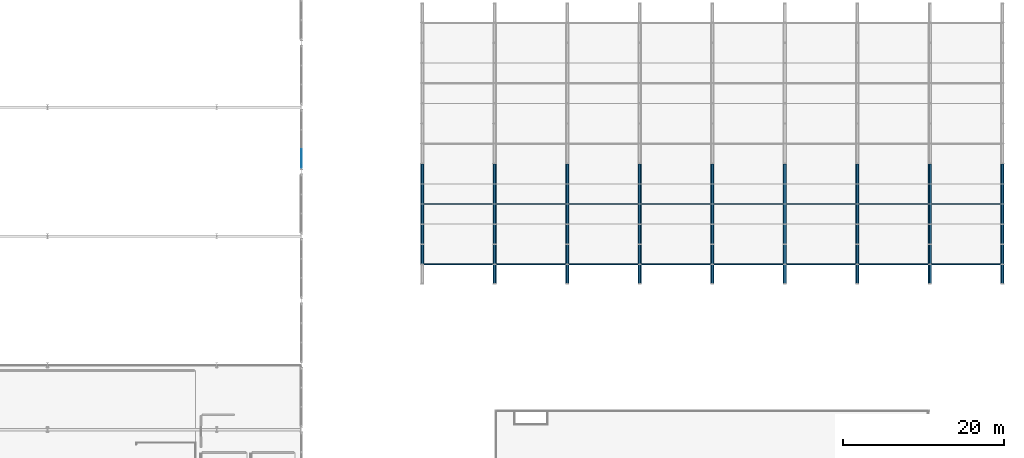
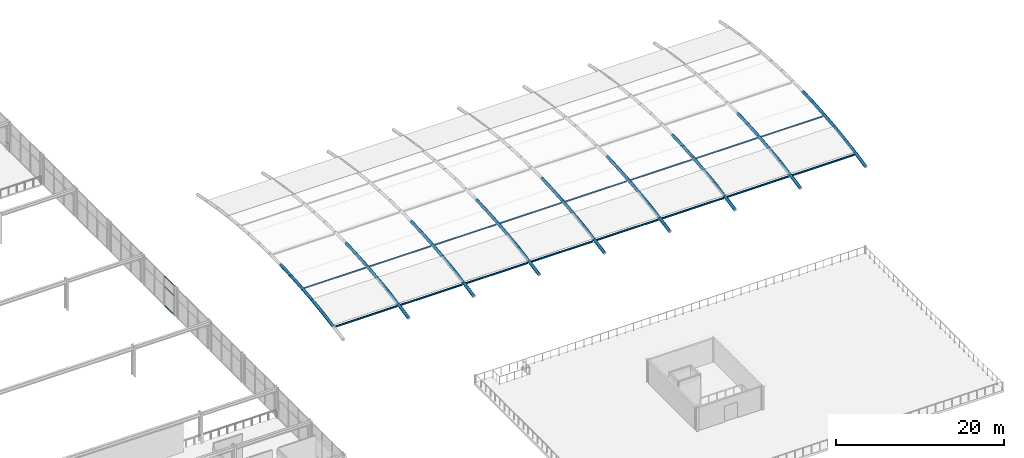
# One storey, part 42 of 105: 72 members, 1 element without a shape of its own.
"""IFC4 building model written with IfcOpenShell, lengths in metres."""

from ifc_helpers import new_model, si_unit, direction, frame, origin, origin_2d, place, context, subcontext, project, spatial, hollow_rectangle, hollow_circle, i_section, extrude, material, layer, layer_set, material_profile, profile_set, type_object, element, aggregate, save


model = new_model("IFC4")

# Units and contexts
model_context = context("Model", 3, precision=1e-05, world=origin(), true_north=direction((0.0, 1.0)))
body_context = subcontext(model_context, "Body", "Model", "MODEL_VIEW")
ifc_project = project(units=[si_unit("LENGTHUNIT", "METRE"), si_unit("AREAUNIT", "SQUARE_METRE"), si_unit("VOLUMEUNIT", "CUBIC_METRE"), si_unit("PLANEANGLEUNIT", "RADIAN"), si_unit("MASSUNIT", "GRAM", prefix="KILO")], contexts=[model_context])

# Site, building, storey
site_placement = place(None, origin())
site = spatial("IfcSite", under=ifc_project, at=site_placement, CompositionType="ELEMENT")
building_placement = place(site_placement, origin())
building = spatial("IfcBuilding", under=site, at=building_placement, Name="Marlcrest Central Station", CompositionType="ELEMENT")
storey_placement = place(building_placement, frame((0.0, 0.0, 15.0)))
storey = spatial("IfcBuildingStorey", under=building, at=storey_placement, Name="L03", CompositionType="ELEMENT", Elevation=15.0)

# Members
ifc_material_1 = material(Name="Steel S355", Category="steel")
ifc_material_profile_1 = material_profile(ifc_material_1, hollow_circle(Radius=0.203125, WallThickness=0.02001953125, at=origin_2d()), Name="CHS 406.4x20")
ifc_profile_set_1 = profile_set([ifc_material_profile_1], Name="Steel S355")
member_type_1 = type_object("IfcMemberType", Name="AC-01", PredefinedType="CHORD", material=ifc_profile_set_1)
member_1_placement = place(storey_placement, frame((144.0, 51.0, 0.40380859375), z_axis=(0.0, 0.98574109921, 0.168269086076), x_axis=(-1.0, 0.0, 0.0)))
element("IfcMember", 1, at=member_1_placement, inside=storey, type_object=member_type_1, Name="mem-AC-01-L03-01116", PredefinedType="CHORD", context=body_context, shape_type="SweptSolid", body=[
    extrude(hollow_circle(Radius=0.203125, WallThickness=0.02001953125, at=origin_2d()), origin(), (0.0, 0.0, 1.0), 2.5361328125),
])
member_2_placement = place(storey_placement, frame((144.0, 53.5, 0.83056640625), z_axis=(0.0, 0.990402740232, 0.138211476152), x_axis=(-1.0, 0.0, 0.0)))
element("IfcMember", 2, at=member_2_placement, inside=storey, type_object=member_type_1, Name="mem-AC-01-L03-01120", PredefinedType="CHORD", context=body_context, shape_type="SweptSolid", body=[
    extrude(hollow_circle(Radius=0.203125, WallThickness=0.02001953125, at=origin_2d()), origin(), (0.0, 0.0, 1.0), 2.524169921875),
])
member_3_placement = place(storey_placement, frame((144.0, 56.0, 1.179443359375), z_axis=(0.0, 0.994155341034, 0.107959056565), x_axis=(-1.0, 0.0, 0.0)))
element("IfcMember", 3, at=member_3_placement, inside=storey, type_object=member_type_1, Name="mem-AC-01-L03-01124", PredefinedType="CHORD", context=body_context, shape_type="SweptSolid", body=[
    extrude(hollow_circle(Radius=0.203125, WallThickness=0.02001953125, at=origin_2d()), origin(), (0.0, 0.0, 1.0), 2.5146484375),
])
member_4_placement = place(storey_placement, frame((144.0, 58.5, 1.450927734375), z_axis=(0.0, 0.996999825732, 0.077403795064), x_axis=(-1.0, 0.0, 0.0)))
element("IfcMember", 4, at=member_4_placement, inside=storey, type_object=member_type_1, Name="mem-AC-01-L03-01128", PredefinedType="CHORD", context=body_context, shape_type="SweptSolid", body=[
    extrude(hollow_circle(Radius=0.203125, WallThickness=0.02001953125, at=origin_2d()), origin(), (0.0, 0.0, 1.0), 2.507568359375),
])
member_5_placement = place(storey_placement, frame((144.0, 61.0, 1.64501953125), z_axis=(0.0, 0.998921349185, 0.046434234591), x_axis=(-1.0, 0.0, 0.0)))
element("IfcMember", 5, at=member_5_placement, inside=storey, type_object=member_type_1, Name="mem-AC-01-L03-01132", PredefinedType="CHORD", context=body_context, shape_type="SweptSolid", body=[
    extrude(hollow_circle(Radius=0.203125, WallThickness=0.02001953125, at=origin_2d()), origin(), (0.0, 0.0, 1.0), 2.502685546875),
])
member_6_placement = place(storey_placement, frame((153.0, 48.580078125, -0.0830078125), z_axis=(0.0, 0.980359417961, 0.197219196874), x_axis=(-1.0, 0.0, 0.0)))
element("IfcMember", 6, at=member_6_placement, inside=storey, type_object=member_type_1, Name="mem-AC-01-L03-01228", PredefinedType="CHORD", context=body_context, shape_type="SweptSolid", body=[
    extrude(hollow_circle(Radius=0.203125, WallThickness=0.02001953125, at=origin_2d()), origin(), (0.0, 0.0, 1.0), 2.468505859375),
])
member_7_placement = place(storey_placement, frame((153.0, 51.0, 0.40380859375), z_axis=(0.0, 0.98574109921, 0.168269086076), x_axis=(-1.0, 0.0, 0.0)))
element("IfcMember", 7, at=member_7_placement, inside=storey, type_object=member_type_1, Name="mem-AC-01-L03-01232", PredefinedType="CHORD", context=body_context, shape_type="SweptSolid", body=[
    extrude(hollow_circle(Radius=0.203125, WallThickness=0.02001953125, at=origin_2d()), origin(), (0.0, 0.0, 1.0), 2.5361328125),
])
member_8_placement = place(storey_placement, frame((153.0, 53.5, 0.83056640625), z_axis=(0.0, 0.990402740232, 0.138211476152), x_axis=(-1.0, 0.0, 0.0)))
element("IfcMember", 8, at=member_8_placement, inside=storey, type_object=member_type_1, Name="mem-AC-01-L03-01236", PredefinedType="CHORD", context=body_context, shape_type="SweptSolid", body=[
    extrude(hollow_circle(Radius=0.203125, WallThickness=0.02001953125, at=origin_2d()), origin(), (0.0, 0.0, 1.0), 2.524169921875),
])
member_9_placement = place(storey_placement, frame((153.0, 56.0, 1.179443359375), z_axis=(0.0, 0.994155341034, 0.107959056565), x_axis=(-1.0, 0.0, 0.0)))
element("IfcMember", 9, at=member_9_placement, inside=storey, type_object=member_type_1, Name="mem-AC-01-L03-01240", PredefinedType="CHORD", context=body_context, shape_type="SweptSolid", body=[
    extrude(hollow_circle(Radius=0.203125, WallThickness=0.02001953125, at=origin_2d()), origin(), (0.0, 0.0, 1.0), 2.5146484375),
])
member_10_placement = place(storey_placement, frame((153.0, 58.5, 1.450927734375), z_axis=(0.0, 0.996999825732, 0.077403795064), x_axis=(-1.0, 0.0, 0.0)))
element("IfcMember", 10, at=member_10_placement, inside=storey, type_object=member_type_1, Name="mem-AC-01-L03-01244", PredefinedType="CHORD", context=body_context, shape_type="SweptSolid", body=[
    extrude(hollow_circle(Radius=0.203125, WallThickness=0.02001953125, at=origin_2d()), origin(), (0.0, 0.0, 1.0), 2.507568359375),
])
member_11_placement = place(storey_placement, frame((153.0, 61.0, 1.64501953125), z_axis=(0.0, 0.998921349185, 0.046434234591), x_axis=(-1.0, 0.0, 0.0)))
element("IfcMember", 11, at=member_11_placement, inside=storey, type_object=member_type_1, Name="mem-AC-01-L03-01248", PredefinedType="CHORD", context=body_context, shape_type="SweptSolid", body=[
    extrude(hollow_circle(Radius=0.203125, WallThickness=0.02001953125, at=origin_2d()), origin(), (0.0, 0.0, 1.0), 2.502685546875),
])
member_12_placement = place(storey_placement, frame((162.0, 48.580078125, -0.0830078125), z_axis=(0.0, 0.980359417961, 0.197219196874), x_axis=(-1.0, 0.0, 0.0)))
element("IfcMember", 12, at=member_12_placement, inside=storey, type_object=member_type_1, Name="mem-AC-01-L03-01344", PredefinedType="CHORD", context=body_context, shape_type="SweptSolid", body=[
    extrude(hollow_circle(Radius=0.203125, WallThickness=0.02001953125, at=origin_2d()), origin(), (0.0, 0.0, 1.0), 2.468505859375),
])
member_13_placement = place(storey_placement, frame((162.0, 51.0, 0.40380859375), z_axis=(0.0, 0.98574109921, 0.168269086076), x_axis=(-1.0, 0.0, 0.0)))
element("IfcMember", 13, at=member_13_placement, inside=storey, type_object=member_type_1, Name="mem-AC-01-L03-01348", PredefinedType="CHORD", context=body_context, shape_type="SweptSolid", body=[
    extrude(hollow_circle(Radius=0.203125, WallThickness=0.02001953125, at=origin_2d()), origin(), (0.0, 0.0, 1.0), 2.5361328125),
])
member_14_placement = place(storey_placement, frame((162.0, 53.5, 0.83056640625), z_axis=(0.0, 0.990402740232, 0.138211476152), x_axis=(-1.0, 0.0, 0.0)))
element("IfcMember", 14, at=member_14_placement, inside=storey, type_object=member_type_1, Name="mem-AC-01-L03-01352", PredefinedType="CHORD", context=body_context, shape_type="SweptSolid", body=[
    extrude(hollow_circle(Radius=0.203125, WallThickness=0.02001953125, at=origin_2d()), origin(), (0.0, 0.0, 1.0), 2.524169921875),
])
member_15_placement = place(storey_placement, frame((162.0, 56.0, 1.179443359375), z_axis=(0.0, 0.994155341034, 0.107959056565), x_axis=(-1.0, 0.0, 0.0)))
element("IfcMember", 15, at=member_15_placement, inside=storey, type_object=member_type_1, Name="mem-AC-01-L03-01356", PredefinedType="CHORD", context=body_context, shape_type="SweptSolid", body=[
    extrude(hollow_circle(Radius=0.203125, WallThickness=0.02001953125, at=origin_2d()), origin(), (0.0, 0.0, 1.0), 2.5146484375),
])
member_16_placement = place(storey_placement, frame((162.0, 58.5, 1.450927734375), z_axis=(0.0, 0.996999825732, 0.077403795064), x_axis=(-1.0, 0.0, 0.0)))
element("IfcMember", 16, at=member_16_placement, inside=storey, type_object=member_type_1, Name="mem-AC-01-L03-01360", PredefinedType="CHORD", context=body_context, shape_type="SweptSolid", body=[
    extrude(hollow_circle(Radius=0.203125, WallThickness=0.02001953125, at=origin_2d()), origin(), (0.0, 0.0, 1.0), 2.507568359375),
])
member_17_placement = place(storey_placement, frame((162.0, 61.0, 1.64501953125), z_axis=(0.0, 0.998921349185, 0.046434234591), x_axis=(-1.0, 0.0, 0.0)))
element("IfcMember", 17, at=member_17_placement, inside=storey, type_object=member_type_1, Name="mem-AC-01-L03-01364", PredefinedType="CHORD", context=body_context, shape_type="SweptSolid", body=[
    extrude(hollow_circle(Radius=0.203125, WallThickness=0.02001953125, at=origin_2d()), origin(), (0.0, 0.0, 1.0), 2.502685546875),
])
member_18_placement = place(storey_placement, frame((171.0, 48.580078125, -0.0830078125), z_axis=(0.0, 0.980359417961, 0.197219196874), x_axis=(-1.0, 0.0, 0.0)))
element("IfcMember", 18, at=member_18_placement, inside=storey, type_object=member_type_1, Name="mem-AC-01-L03-01460", PredefinedType="CHORD", context=body_context, shape_type="SweptSolid", body=[
    extrude(hollow_circle(Radius=0.203125, WallThickness=0.02001953125, at=origin_2d()), origin(), (0.0, 0.0, 1.0), 2.468505859375),
])
member_19_placement = place(storey_placement, frame((171.0, 51.0, 0.40380859375), z_axis=(0.0, 0.98574109921, 0.168269086076), x_axis=(-1.0, 0.0, 0.0)))
element("IfcMember", 19, at=member_19_placement, inside=storey, type_object=member_type_1, Name="mem-AC-01-L03-01464", PredefinedType="CHORD", context=body_context, shape_type="SweptSolid", body=[
    extrude(hollow_circle(Radius=0.203125, WallThickness=0.02001953125, at=origin_2d()), origin(), (0.0, 0.0, 1.0), 2.5361328125),
])
member_20_placement = place(storey_placement, frame((171.0, 53.5, 0.83056640625), z_axis=(0.0, 0.990402740232, 0.138211476152), x_axis=(-1.0, 0.0, 0.0)))
element("IfcMember", 20, at=member_20_placement, inside=storey, type_object=member_type_1, Name="mem-AC-01-L03-01468", PredefinedType="CHORD", context=body_context, shape_type="SweptSolid", body=[
    extrude(hollow_circle(Radius=0.203125, WallThickness=0.02001953125, at=origin_2d()), origin(), (0.0, 0.0, 1.0), 2.524169921875),
])
member_21_placement = place(storey_placement, frame((171.0, 56.0, 1.179443359375), z_axis=(0.0, 0.994155341034, 0.107959056565), x_axis=(-1.0, 0.0, 0.0)))
element("IfcMember", 21, at=member_21_placement, inside=storey, type_object=member_type_1, Name="mem-AC-01-L03-01472", PredefinedType="CHORD", context=body_context, shape_type="SweptSolid", body=[
    extrude(hollow_circle(Radius=0.203125, WallThickness=0.02001953125, at=origin_2d()), origin(), (0.0, 0.0, 1.0), 2.5146484375),
])
member_22_placement = place(storey_placement, frame((171.0, 58.5, 1.450927734375), z_axis=(0.0, 0.996999825732, 0.077403795064), x_axis=(-1.0, 0.0, 0.0)))
element("IfcMember", 22, at=member_22_placement, inside=storey, type_object=member_type_1, Name="mem-AC-01-L03-01476", PredefinedType="CHORD", context=body_context, shape_type="SweptSolid", body=[
    extrude(hollow_circle(Radius=0.203125, WallThickness=0.02001953125, at=origin_2d()), origin(), (0.0, 0.0, 1.0), 2.507568359375),
])
member_23_placement = place(storey_placement, frame((171.0, 61.0, 1.64501953125), z_axis=(0.0, 0.998921349185, 0.046434234591), x_axis=(-1.0, 0.0, 0.0)))
element("IfcMember", 23, at=member_23_placement, inside=storey, type_object=member_type_1, Name="mem-AC-01-L03-01480", PredefinedType="CHORD", context=body_context, shape_type="SweptSolid", body=[
    extrude(hollow_circle(Radius=0.203125, WallThickness=0.02001953125, at=origin_2d()), origin(), (0.0, 0.0, 1.0), 2.502685546875),
])
member_24_placement = place(storey_placement, frame((180.0, 48.580078125, -0.0830078125), z_axis=(0.0, 0.980359417961, 0.197219196874), x_axis=(-1.0, 0.0, 0.0)))
element("IfcMember", 24, at=member_24_placement, inside=storey, type_object=member_type_1, Name="mem-AC-01-L03-01576", PredefinedType="CHORD", context=body_context, shape_type="SweptSolid", body=[
    extrude(hollow_circle(Radius=0.203125, WallThickness=0.02001953125, at=origin_2d()), origin(), (0.0, 0.0, 1.0), 2.468505859375),
])
member_25_placement = place(storey_placement, frame((180.0, 51.0, 0.40380859375), z_axis=(0.0, 0.98574109921, 0.168269086076), x_axis=(-1.0, 0.0, 0.0)))
element("IfcMember", 25, at=member_25_placement, inside=storey, type_object=member_type_1, Name="mem-AC-01-L03-01580", PredefinedType="CHORD", context=body_context, shape_type="SweptSolid", body=[
    extrude(hollow_circle(Radius=0.203125, WallThickness=0.02001953125, at=origin_2d()), origin(), (0.0, 0.0, 1.0), 2.5361328125),
])
member_26_placement = place(storey_placement, frame((180.0, 53.5, 0.83056640625), z_axis=(0.0, 0.990402740232, 0.138211476152), x_axis=(-1.0, 0.0, 0.0)))
element("IfcMember", 26, at=member_26_placement, inside=storey, type_object=member_type_1, Name="mem-AC-01-L03-01584", PredefinedType="CHORD", context=body_context, shape_type="SweptSolid", body=[
    extrude(hollow_circle(Radius=0.203125, WallThickness=0.02001953125, at=origin_2d()), origin(), (0.0, 0.0, 1.0), 2.524169921875),
])
member_27_placement = place(storey_placement, frame((180.0, 56.0, 1.179443359375), z_axis=(0.0, 0.994155341034, 0.107959056565), x_axis=(-1.0, 0.0, 0.0)))
element("IfcMember", 27, at=member_27_placement, inside=storey, type_object=member_type_1, Name="mem-AC-01-L03-01588", PredefinedType="CHORD", context=body_context, shape_type="SweptSolid", body=[
    extrude(hollow_circle(Radius=0.203125, WallThickness=0.02001953125, at=origin_2d()), origin(), (0.0, 0.0, 1.0), 2.5146484375),
])
member_28_placement = place(storey_placement, frame((180.0, 58.5, 1.450927734375), z_axis=(0.0, 0.996999825732, 0.077403795064), x_axis=(-1.0, 0.0, 0.0)))
element("IfcMember", 28, at=member_28_placement, inside=storey, type_object=member_type_1, Name="mem-AC-01-L03-01592", PredefinedType="CHORD", context=body_context, shape_type="SweptSolid", body=[
    extrude(hollow_circle(Radius=0.203125, WallThickness=0.02001953125, at=origin_2d()), origin(), (0.0, 0.0, 1.0), 2.507568359375),
])
member_29_placement = place(storey_placement, frame((180.0, 61.0, 1.64501953125), z_axis=(0.0, 0.998921349185, 0.046434234591), x_axis=(-1.0, 0.0, 0.0)))
element("IfcMember", 29, at=member_29_placement, inside=storey, type_object=member_type_1, Name="mem-AC-01-L03-01596", PredefinedType="CHORD", context=body_context, shape_type="SweptSolid", body=[
    extrude(hollow_circle(Radius=0.203125, WallThickness=0.02001953125, at=origin_2d()), origin(), (0.0, 0.0, 1.0), 2.502685546875),
])
member_30_placement = place(storey_placement, frame((189.0, 48.580078125, -0.0830078125), z_axis=(0.0, 0.980359417961, 0.197219196874), x_axis=(-1.0, 0.0, 0.0)))
element("IfcMember", 30, at=member_30_placement, inside=storey, type_object=member_type_1, Name="mem-AC-01-L03-01692", PredefinedType="CHORD", context=body_context, shape_type="SweptSolid", body=[
    extrude(hollow_circle(Radius=0.203125, WallThickness=0.02001953125, at=origin_2d()), origin(), (0.0, 0.0, 1.0), 2.468505859375),
])
member_31_placement = place(storey_placement, frame((189.0, 51.0, 0.40380859375), z_axis=(0.0, 0.98574109921, 0.168269086076), x_axis=(-1.0, 0.0, 0.0)))
element("IfcMember", 31, at=member_31_placement, inside=storey, type_object=member_type_1, Name="mem-AC-01-L03-01696", PredefinedType="CHORD", context=body_context, shape_type="SweptSolid", body=[
    extrude(hollow_circle(Radius=0.203125, WallThickness=0.02001953125, at=origin_2d()), origin(), (0.0, 0.0, 1.0), 2.5361328125),
])
member_32_placement = place(storey_placement, frame((189.0, 53.5, 0.83056640625), z_axis=(0.0, 0.990402740232, 0.138211476152), x_axis=(-1.0, 0.0, 0.0)))
element("IfcMember", 32, at=member_32_placement, inside=storey, type_object=member_type_1, Name="mem-AC-01-L03-01700", PredefinedType="CHORD", context=body_context, shape_type="SweptSolid", body=[
    extrude(hollow_circle(Radius=0.203125, WallThickness=0.02001953125, at=origin_2d()), origin(), (0.0, 0.0, 1.0), 2.524169921875),
])
member_33_placement = place(storey_placement, frame((189.0, 56.0, 1.179443359375), z_axis=(0.0, 0.994155341034, 0.107959056565), x_axis=(-1.0, 0.0, 0.0)))
element("IfcMember", 33, at=member_33_placement, inside=storey, type_object=member_type_1, Name="mem-AC-01-L03-01704", PredefinedType="CHORD", context=body_context, shape_type="SweptSolid", body=[
    extrude(hollow_circle(Radius=0.203125, WallThickness=0.02001953125, at=origin_2d()), origin(), (0.0, 0.0, 1.0), 2.5146484375),
])
member_34_placement = place(storey_placement, frame((189.0, 58.5, 1.450927734375), z_axis=(0.0, 0.996999825732, 0.077403795064), x_axis=(-1.0, 0.0, 0.0)))
element("IfcMember", 34, at=member_34_placement, inside=storey, type_object=member_type_1, Name="mem-AC-01-L03-01708", PredefinedType="CHORD", context=body_context, shape_type="SweptSolid", body=[
    extrude(hollow_circle(Radius=0.203125, WallThickness=0.02001953125, at=origin_2d()), origin(), (0.0, 0.0, 1.0), 2.507568359375),
])
member_35_placement = place(storey_placement, frame((189.0, 61.0, 1.64501953125), z_axis=(0.0, 0.998921349185, 0.046434234591), x_axis=(-1.0, 0.0, 0.0)))
element("IfcMember", 35, at=member_35_placement, inside=storey, type_object=member_type_1, Name="mem-AC-01-L03-01712", PredefinedType="CHORD", context=body_context, shape_type="SweptSolid", body=[
    extrude(hollow_circle(Radius=0.203125, WallThickness=0.02001953125, at=origin_2d()), origin(), (0.0, 0.0, 1.0), 2.502685546875),
])
member_36_placement = place(storey_placement, frame((198.0, 48.580078125, -0.0830078125), z_axis=(0.0, 0.980359417961, 0.197219196874), x_axis=(-1.0, 0.0, 0.0)))
element("IfcMember", 36, at=member_36_placement, inside=storey, type_object=member_type_1, Name="mem-AC-01-L03-01808", PredefinedType="CHORD", context=body_context, shape_type="SweptSolid", body=[
    extrude(hollow_circle(Radius=0.203125, WallThickness=0.02001953125, at=origin_2d()), origin(), (0.0, 0.0, 1.0), 2.468505859375),
])
member_37_placement = place(storey_placement, frame((198.0, 51.0, 0.40380859375), z_axis=(0.0, 0.98574109921, 0.168269086076), x_axis=(-1.0, 0.0, 0.0)))
element("IfcMember", 37, at=member_37_placement, inside=storey, type_object=member_type_1, Name="mem-AC-01-L03-01812", PredefinedType="CHORD", context=body_context, shape_type="SweptSolid", body=[
    extrude(hollow_circle(Radius=0.203125, WallThickness=0.02001953125, at=origin_2d()), origin(), (0.0, 0.0, 1.0), 2.5361328125),
])
member_38_placement = place(storey_placement, frame((198.0, 53.5, 0.83056640625), z_axis=(0.0, 0.990402740232, 0.138211476152), x_axis=(-1.0, 0.0, 0.0)))
element("IfcMember", 38, at=member_38_placement, inside=storey, type_object=member_type_1, Name="mem-AC-01-L03-01816", PredefinedType="CHORD", context=body_context, shape_type="SweptSolid", body=[
    extrude(hollow_circle(Radius=0.203125, WallThickness=0.02001953125, at=origin_2d()), origin(), (0.0, 0.0, 1.0), 2.524169921875),
])
member_39_placement = place(storey_placement, frame((198.0, 56.0, 1.179443359375), z_axis=(0.0, 0.994155341034, 0.107959056565), x_axis=(-1.0, 0.0, 0.0)))
element("IfcMember", 39, at=member_39_placement, inside=storey, type_object=member_type_1, Name="mem-AC-01-L03-01820", PredefinedType="CHORD", context=body_context, shape_type="SweptSolid", body=[
    extrude(hollow_circle(Radius=0.203125, WallThickness=0.02001953125, at=origin_2d()), origin(), (0.0, 0.0, 1.0), 2.5146484375),
])
member_40_placement = place(storey_placement, frame((198.0, 58.5, 1.450927734375), z_axis=(0.0, 0.996999825732, 0.077403795064), x_axis=(-1.0, 0.0, 0.0)))
element("IfcMember", 40, at=member_40_placement, inside=storey, type_object=member_type_1, Name="mem-AC-01-L03-01824", PredefinedType="CHORD", context=body_context, shape_type="SweptSolid", body=[
    extrude(hollow_circle(Radius=0.203125, WallThickness=0.02001953125, at=origin_2d()), origin(), (0.0, 0.0, 1.0), 2.507568359375),
])
member_41_placement = place(storey_placement, frame((198.0, 61.0, 1.64501953125), z_axis=(0.0, 0.998921349185, 0.046434234591), x_axis=(-1.0, 0.0, 0.0)))
element("IfcMember", 41, at=member_41_placement, inside=storey, type_object=member_type_1, Name="mem-AC-01-L03-01828", PredefinedType="CHORD", context=body_context, shape_type="SweptSolid", body=[
    extrude(hollow_circle(Radius=0.203125, WallThickness=0.02001953125, at=origin_2d()), origin(), (0.0, 0.0, 1.0), 2.502685546875),
])
member_42_placement = place(storey_placement, frame((207.0, 48.580078125, -0.0830078125), z_axis=(0.0, 0.980359417961, 0.197219196874), x_axis=(-1.0, 0.0, 0.0)))
element("IfcMember", 42, at=member_42_placement, inside=storey, type_object=member_type_1, Name="mem-AC-01-L03-01924", PredefinedType="CHORD", context=body_context, shape_type="SweptSolid", body=[
    extrude(hollow_circle(Radius=0.203125, WallThickness=0.02001953125, at=origin_2d()), origin(), (0.0, 0.0, 1.0), 2.468505859375),
])
member_43_placement = place(storey_placement, frame((207.0, 51.0, 0.40380859375), z_axis=(0.0, 0.98574109921, 0.168269086076), x_axis=(-1.0, 0.0, 0.0)))
element("IfcMember", 43, at=member_43_placement, inside=storey, type_object=member_type_1, Name="mem-AC-01-L03-01928", PredefinedType="CHORD", context=body_context, shape_type="SweptSolid", body=[
    extrude(hollow_circle(Radius=0.203125, WallThickness=0.02001953125, at=origin_2d()), origin(), (0.0, 0.0, 1.0), 2.5361328125),
])
member_44_placement = place(storey_placement, frame((207.0, 53.5, 0.83056640625), z_axis=(0.0, 0.990402740232, 0.138211476152), x_axis=(-1.0, 0.0, 0.0)))
element("IfcMember", 44, at=member_44_placement, inside=storey, type_object=member_type_1, Name="mem-AC-01-L03-01932", PredefinedType="CHORD", context=body_context, shape_type="SweptSolid", body=[
    extrude(hollow_circle(Radius=0.203125, WallThickness=0.02001953125, at=origin_2d()), origin(), (0.0, 0.0, 1.0), 2.524169921875),
])
member_45_placement = place(storey_placement, frame((207.0, 56.0, 1.179443359375), z_axis=(0.0, 0.994155341034, 0.107959056565), x_axis=(-1.0, 0.0, 0.0)))
element("IfcMember", 45, at=member_45_placement, inside=storey, type_object=member_type_1, Name="mem-AC-01-L03-01936", PredefinedType="CHORD", context=body_context, shape_type="SweptSolid", body=[
    extrude(hollow_circle(Radius=0.203125, WallThickness=0.02001953125, at=origin_2d()), origin(), (0.0, 0.0, 1.0), 2.5146484375),
])
member_46_placement = place(storey_placement, frame((207.0, 58.5, 1.450927734375), z_axis=(0.0, 0.996999825732, 0.077403795064), x_axis=(-1.0, 0.0, 0.0)))
element("IfcMember", 46, at=member_46_placement, inside=storey, type_object=member_type_1, Name="mem-AC-01-L03-01940", PredefinedType="CHORD", context=body_context, shape_type="SweptSolid", body=[
    extrude(hollow_circle(Radius=0.203125, WallThickness=0.02001953125, at=origin_2d()), origin(), (0.0, 0.0, 1.0), 2.507568359375),
])
member_47_placement = place(storey_placement, frame((207.0, 61.0, 1.64501953125), z_axis=(0.0, 0.998921349185, 0.046434234591), x_axis=(-1.0, 0.0, 0.0)))
element("IfcMember", 47, at=member_47_placement, inside=storey, type_object=member_type_1, Name="mem-AC-01-L03-01944", PredefinedType="CHORD", context=body_context, shape_type="SweptSolid", body=[
    extrude(hollow_circle(Radius=0.203125, WallThickness=0.02001953125, at=origin_2d()), origin(), (0.0, 0.0, 1.0), 2.502685546875),
])
member_48_placement = place(storey_placement, frame((216.0, 48.580078125, -0.0830078125), z_axis=(0.0, 0.980359417961, 0.197219196874), x_axis=(-1.0, 0.0, 0.0)))
element("IfcMember", 48, at=member_48_placement, inside=storey, type_object=member_type_1, Name="mem-AC-01-L03-02040", PredefinedType="CHORD", context=body_context, shape_type="SweptSolid", body=[
    extrude(hollow_circle(Radius=0.203125, WallThickness=0.02001953125, at=origin_2d()), origin(), (0.0, 0.0, 1.0), 2.468505859375),
])
member_49_placement = place(storey_placement, frame((216.0, 51.0, 0.40380859375), z_axis=(0.0, 0.98574109921, 0.168269086076), x_axis=(-1.0, 0.0, 0.0)))
element("IfcMember", 49, at=member_49_placement, inside=storey, type_object=member_type_1, Name="mem-AC-01-L03-02044", PredefinedType="CHORD", context=body_context, shape_type="SweptSolid", body=[
    extrude(hollow_circle(Radius=0.203125, WallThickness=0.02001953125, at=origin_2d()), origin(), (0.0, 0.0, 1.0), 2.5361328125),
])
member_50_placement = place(storey_placement, frame((216.0, 53.5, 0.83056640625), z_axis=(0.0, 0.990402740232, 0.138211476152), x_axis=(-1.0, 0.0, 0.0)))
element("IfcMember", 50, at=member_50_placement, inside=storey, type_object=member_type_1, Name="mem-AC-01-L03-02048", PredefinedType="CHORD", context=body_context, shape_type="SweptSolid", body=[
    extrude(hollow_circle(Radius=0.203125, WallThickness=0.02001953125, at=origin_2d()), origin(), (0.0, 0.0, 1.0), 2.524169921875),
])
member_51_placement = place(storey_placement, frame((216.0, 56.0, 1.179443359375), z_axis=(0.0, 0.994155341034, 0.107959056565), x_axis=(-1.0, 0.0, 0.0)))
element("IfcMember", 51, at=member_51_placement, inside=storey, type_object=member_type_1, Name="mem-AC-01-L03-02052", PredefinedType="CHORD", context=body_context, shape_type="SweptSolid", body=[
    extrude(hollow_circle(Radius=0.203125, WallThickness=0.02001953125, at=origin_2d()), origin(), (0.0, 0.0, 1.0), 2.5146484375),
])
member_52_placement = place(storey_placement, frame((216.0, 58.5, 1.450927734375), z_axis=(0.0, 0.996999825732, 0.077403795064), x_axis=(-1.0, 0.0, 0.0)))
element("IfcMember", 52, at=member_52_placement, inside=storey, type_object=member_type_1, Name="mem-AC-01-L03-02056", PredefinedType="CHORD", context=body_context, shape_type="SweptSolid", body=[
    extrude(hollow_circle(Radius=0.203125, WallThickness=0.02001953125, at=origin_2d()), origin(), (0.0, 0.0, 1.0), 2.507568359375),
])
member_53_placement = place(storey_placement, frame((216.0, 61.0, 1.64501953125), z_axis=(0.0, 0.998921349185, 0.046434234591), x_axis=(-1.0, 0.0, 0.0)))
element("IfcMember", 53, at=member_53_placement, inside=storey, type_object=member_type_1, Name="mem-AC-01-L03-02060", PredefinedType="CHORD", context=body_context, shape_type="SweptSolid", body=[
    extrude(hollow_circle(Radius=0.203125, WallThickness=0.02001953125, at=origin_2d()), origin(), (0.0, 0.0, 1.0), 2.502685546875),
])
ifc_material_profile_2 = material_profile(ifc_material_1, i_section(OverallWidth=0.10009765625, OverallDepth=0.199951171875, WebThickness=0.005615234375, FlangeThickness=0.008544921875, FilletRadius=0.011962890625, at=origin_2d()), Name="IPE 200")
ifc_profile_set_2 = profile_set([ifc_material_profile_2], Name="Steel S355")
member_type_2 = type_object("IfcMemberType", Name="PR-01", PredefinedType="PURLIN", material=ifc_profile_set_2)
for number, where, z_axis, x_axis, name in (
    (54, (144.179931640625, 58.5, 1.31103515625), (1.0, 0.0, 0.0), (0.0, 1.0, 0.0), "mem-PR-01-L03-01197"),
    (55, (153.179931640625, 58.5, 1.31103515625), (1.0, 0.0, 0.0), (0.0, 1.0, 0.0), "mem-PR-01-L03-01313"),
    (56, (162.179931640625, 58.5, 1.31103515625), (1.0, 0.0, 0.0), (0.0, 1.0, 0.0), "mem-PR-01-L03-01429"),
    (57, (171.179931640625, 58.5, 1.31103515625), (1.0, 0.0, 0.0), (0.0, 1.0, 0.0), "mem-PR-01-L03-01545"),
    (58, (180.179931640625, 58.5, 1.31103515625), (1.0, 0.0, 0.0), (0.0, 1.0, 0.0), "mem-PR-01-L03-01661"),
    (59, (189.179931640625, 58.5, 1.31103515625), (1.0, 0.0, 0.0), (0.0, 1.0, 0.0), "mem-PR-01-L03-01777"),
    (60, (198.179931640625, 58.5, 1.31103515625), (1.0, 0.0, 0.0), (0.0, 1.0, 0.0), "mem-PR-01-L03-01893"),
    (61, (207.179931640625, 58.5, 1.31103515625), (1.0, 0.0, 0.0), (0.0, 1.0, 0.0), "mem-PR-01-L03-02009"),
):
    element("IfcMember", number, at=place(storey_placement, frame(where, z_axis=z_axis, x_axis=x_axis)), inside=storey, type_object=member_type_2, Name=name, PredefinedType="PURLIN", context=body_context, shape_type="SweptSolid", body=[
        extrude(i_section(OverallWidth=0.10009765625, OverallDepth=0.199951171875, WebThickness=0.005615234375, FlangeThickness=0.008544921875, FilletRadius=0.011962890625, at=origin_2d()), origin(), (0.0, 0.0, 1.0), 8.64013671875),
    ])
ifc_material_profile_3 = material_profile(ifc_material_1, i_section(OverallWidth=0.1201171875, OverallDepth=0.239990234375, WebThickness=0.006103515625, FlangeThickness=0.009765625, FilletRadius=0.014892578125, at=origin_2d()), Name="IPE 240")
ifc_profile_set_3 = profile_set([ifc_material_profile_3], Name="Steel S355")
member_type_3 = type_object("IfcMemberType", Name="PR-02", PredefinedType="PURLIN", material=ifc_profile_set_3)
for number, where, z_axis, x_axis, name in (
    (62, (144.179931640625, 51.0, 0.263916015625), (1.0, 0.0, 0.0), (0.0, 1.0, 0.0), "mem-PR-02-L03-01196"),
    (63, (153.179931640625, 51.0, 0.263916015625), (1.0, 0.0, 0.0), (0.0, 1.0, 0.0), "mem-PR-02-L03-01312"),
    (64, (162.179931640625, 51.0, 0.263916015625), (1.0, 0.0, 0.0), (0.0, 1.0, 0.0), "mem-PR-02-L03-01428"),
    (65, (171.179931640625, 51.0, 0.263916015625), (1.0, 0.0, 0.0), (0.0, 1.0, 0.0), "mem-PR-02-L03-01544"),
    (66, (180.179931640625, 51.0, 0.263916015625), (1.0, 0.0, 0.0), (0.0, 1.0, 0.0), "mem-PR-02-L03-01660"),
    (67, (189.179931640625, 51.0, 0.263916015625), (1.0, 0.0, 0.0), (0.0, 1.0, 0.0), "mem-PR-02-L03-01776"),
    (68, (198.179931640625, 51.0, 0.263916015625), (1.0, 0.0, 0.0), (0.0, 1.0, 0.0), "mem-PR-02-L03-01892"),
    (69, (207.179931640625, 51.0, 0.263916015625), (1.0, 0.0, 0.0), (0.0, 1.0, 0.0), "mem-PR-02-L03-02008"),
):
    element("IfcMember", number, at=place(storey_placement, frame(where, z_axis=z_axis, x_axis=x_axis)), inside=storey, type_object=member_type_3, Name=name, PredefinedType="PURLIN", context=body_context, shape_type="SweptSolid", body=[
        extrude(i_section(OverallWidth=0.1201171875, OverallDepth=0.239990234375, WebThickness=0.006103515625, FlangeThickness=0.009765625, FilletRadius=0.014892578125, at=origin_2d()), origin(), (0.0, 0.0, 1.0), 8.64013671875),
    ])

# Curtain wall, members
ifc_material_2 = material(Name="Anodised aluminium and hurricane laminated glass", Category="aluminium")
ifc_layer = layer(ifc_material_2, 0.219970703125, Name="CW-U1")
ifc_layer_set = layer_set([ifc_layer], Name="Anodised aluminium and hurricane laminated glass")
curtain_wall_type = type_object("IfcCurtainWallType", Name="CW-U1", PredefinedType="USERDEFINED", material=ifc_layer_set)
curtain_wall_placement = place(storey_placement, origin())
curtain_wall = element("IfcCurtainWall", 70, at=curtain_wall_placement, inside=storey, type_object=curtain_wall_type, Name="cw-L03-0122", ObjectType="UNITISED_CURTAIN_WALL", PredefinedType="USERDEFINED")
ifc_material_3 = material(Name="Anodised aluminium 6063-T6", Category="aluminium")
ifc_material_profile_4 = material_profile(ifc_material_3, hollow_rectangle(XDim=0.06005859375, YDim=0.14990234375, WallThickness=0.00390625, at=origin_2d()), Name="AA-RHS 150x60x4")
ifc_profile_set_4 = profile_set([ifc_material_profile_4], Name="Anodised aluminium 6063-T6")
member_type_4 = type_object("IfcMemberType", Name="TR-01", PredefinedType="USERDEFINED", material=ifc_profile_set_4)
member_54_placement = place(storey_placement, frame((129.0, 65.27880859375, 0.0400390625), z_axis=(0.0, -1.0, 0.0), x_axis=(1.0, 0.0, 0.0)))
member_54 = element("IfcMember", 71, at=member_54_placement, type_object=member_type_4, Name="cw-L03-0122-tr-2-sill", ObjectType="TRANSOM", PredefinedType="USERDEFINED", context=body_context, shape_type="SweptSolid", body=[
    extrude(hollow_rectangle(XDim=0.06005859375, YDim=0.14990234375, WallThickness=0.00390625, at=origin_2d()), origin(), (0.0, 0.0, 1.0), 2.290771484375),
])
member_55_placement = place(storey_placement, frame((129.0, 65.27880859375, 2.827880859375), z_axis=(0.0, -1.0, 0.0), x_axis=(1.0, 0.0, 0.0)))
member_55 = element("IfcMember", 72, at=member_55_placement, type_object=member_type_4, Name="cw-L03-0122-tr-2-mid", ObjectType="TRANSOM", PredefinedType="USERDEFINED", context=body_context, shape_type="SweptSolid", body=[
    extrude(hollow_rectangle(XDim=0.06005859375, YDim=0.14990234375, WallThickness=0.00390625, at=origin_2d()), origin(), (0.0, 0.0, 1.0), 2.290771484375),
])
member_56_placement = place(storey_placement, frame((129.0, 65.27880859375, 4.31005859375), z_axis=(0.0, -1.0, 0.0), x_axis=(1.0, 0.0, 0.0)))
member_56 = element("IfcMember", 73, at=member_56_placement, type_object=member_type_4, Name="cw-L03-0122-tr-2-head", ObjectType="TRANSOM", PredefinedType="USERDEFINED", context=body_context, shape_type="SweptSolid", body=[
    extrude(hollow_rectangle(XDim=0.06005859375, YDim=0.14990234375, WallThickness=0.00390625, at=origin_2d()), origin(), (0.0, 0.0, 1.0), 2.290771484375),
])
aggregate(curtain_wall, [member_54, member_55, member_56])

save(model, "model.ifc")
